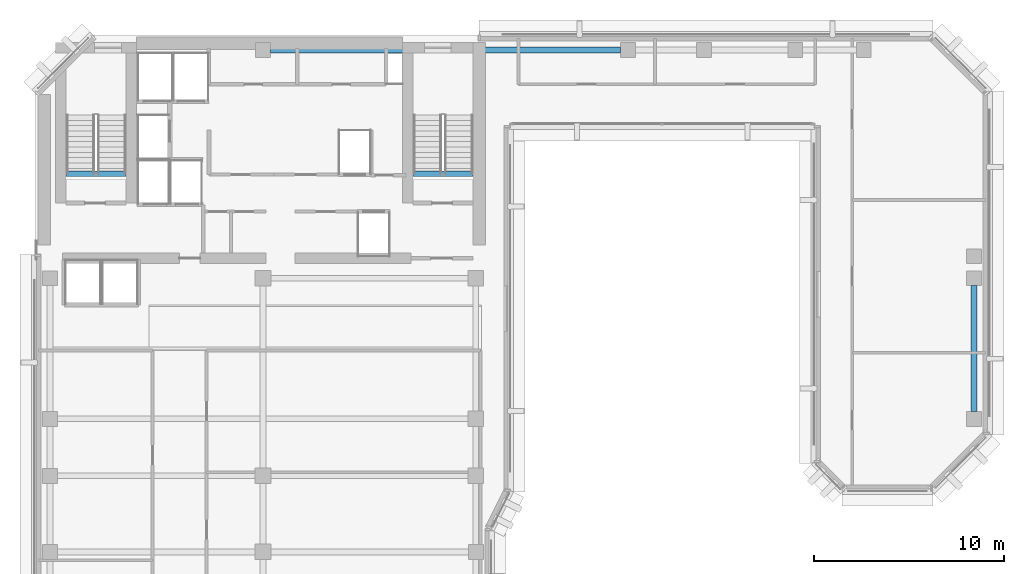
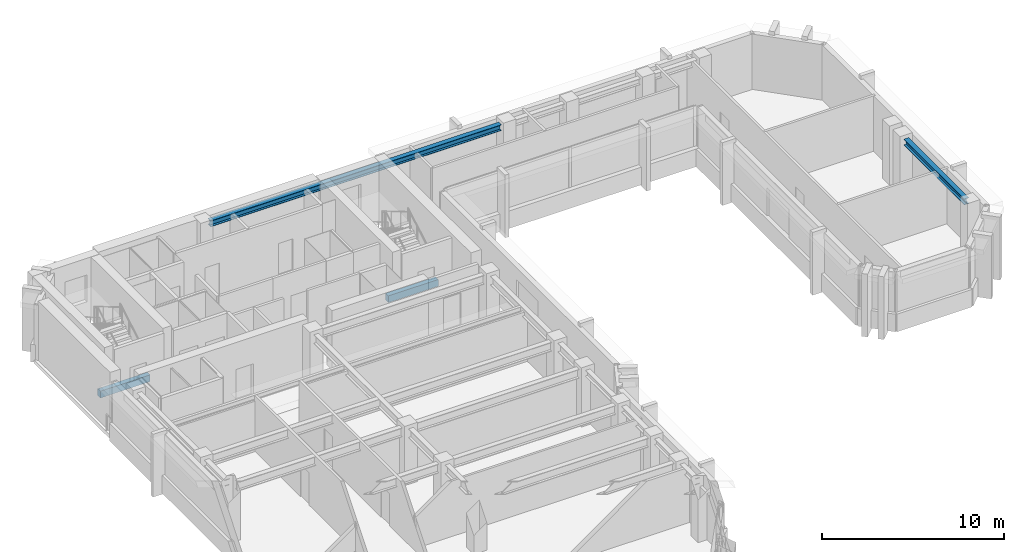
# One storey, part 3 of 11: 4 beams.
"""IFC4 building model written with IfcOpenShell, lengths in metres."""

from ifc_helpers import new_model, si_unit, direction, frame, origin, origin_2d, place, context, subcontext, project, spatial, rectangle, i_section, extrude, material, material_profile, profile_set, type_object, element, save


model = new_model("IFC4")

# Units and contexts
model_context = context("Model", 3, precision=1e-05, world=origin(), true_north=direction((0.0, 1.0)))
body_context = subcontext(model_context, "Body", "Model", "MODEL_VIEW")
ifc_project = project(units=[si_unit("LENGTHUNIT", "METRE"), si_unit("AREAUNIT", "SQUARE_METRE"), si_unit("VOLUMEUNIT", "CUBIC_METRE"), si_unit("PLANEANGLEUNIT", "RADIAN"), si_unit("MASSUNIT", "GRAM", prefix="KILO")], contexts=[model_context])

# Site, building, storey
site_placement = place(None, origin())
site = spatial("IfcSite", under=ifc_project, at=site_placement, CompositionType="ELEMENT")
building_placement = place(site_placement, origin())
building = spatial("IfcBuilding", under=site, at=building_placement, Name="Kefirva Bronze Tower", CompositionType="ELEMENT")
storey_placement = place(building_placement, frame((0.0, 0.0, 239.580078125)))
storey = spatial("IfcBuildingStorey", under=building, at=storey_placement, Name="L58", CompositionType="ELEMENT", Elevation=239.580078125)

# Beams
ifc_material_1 = material(Name="Concrete C50/60", Category="concrete")
ifc_material_profile_1 = material_profile(ifc_material_1, rectangle(XDim=0.300048828125, YDim=0.449951171875, at=origin_2d()), Name="RC 300x450")
ifc_profile_set_1 = profile_set([ifc_material_profile_1], Name="Concrete C50/60")
beam_type_1 = type_object("IfcBeamType", Name="RC Stair Trimmer Beam 300x450", PredefinedType="BEAM", material=ifc_profile_set_1)
beam_1_placement = place(storey_placement, frame((1.64501953125, 38.699951171875, -0.22509765625), z_axis=(1.0, 0.0, 0.0), x_axis=(0.0, 1.0, 0.0)))
element("IfcBeam", 1, at=beam_1_placement, inside=storey, type_object=beam_type_1, Name="L58 Stair 1 Landing Trimmer Beam", PredefinedType="BEAM", context=body_context, shape_type="SweptSolid", body=[
    extrude(rectangle(XDim=0.300048828125, YDim=0.449951171875, at=origin_2d()), origin(), (0.0, 0.0, 1.0), 3.14990234375),
])
beam_2_placement = place(storey_placement, frame((19.89501953125, 38.699951171875, -0.22509765625), z_axis=(1.0, 0.0, 0.0), x_axis=(0.0, 1.0, 0.0)))
element("IfcBeam", 2, at=beam_2_placement, inside=storey, type_object=beam_type_1, Name="L58 Stair 2 Landing Trimmer Beam", PredefinedType="BEAM", context=body_context, shape_type="SweptSolid", body=[
    extrude(rectangle(XDim=0.300048828125, YDim=0.449951171875, at=origin_2d()), origin(), (0.0, 0.0, 1.0), 3.159912109375),
])
ifc_material_2 = material(Name="Steel S355", Category="steel")
ifc_material_profile_2 = material_profile(ifc_material_2, i_section(OverallWidth=0.300048828125, OverallDepth=0.39990234375, WebThickness=0.013427734375, FlangeThickness=0.02392578125, at=origin_2d()), Name="HEB 400")
ifc_profile_set_2 = profile_set([ifc_material_profile_2], Name="Steel S355")
beam_type_2 = type_object("IfcBeamType", Name="Steel Spandrel HEB 400 Ext", PredefinedType="SPANDREL", material=ifc_profile_set_2)
beam_3_placement = place(storey_placement, frame((12.389892578125, 45.199951171875, 3.510009765625), z_axis=(1.0, 0.0, 0.0), x_axis=(0.0, 1.0, 0.0)))
element("IfcBeam", 3, at=beam_3_placement, inside=storey, type_object=beam_type_2, Name="L58 BM-L58-EW-12-452", PredefinedType="SPANDREL", context=body_context, shape_type="SweptSolid", body=[
    extrude(i_section(OverallWidth=0.300048828125, OverallDepth=0.39990234375, WebThickness=0.013427734375, FlangeThickness=0.02392578125, at=origin_2d()), origin(), (0.0, 0.0, 1.0), 18.420166015625),
])
beam_4_placement = place(storey_placement, frame((49.39990234375, 26.18994140625, 3.510009765625), z_axis=(0.0, 1.0, 0.0), x_axis=(-1.0, 0.0, 0.0)))
element("IfcBeam", 4, at=beam_4_placement, inside=storey, type_object=beam_type_2, Name="L58 BM-L58-NS-494-25", PredefinedType="SPANDREL", context=body_context, shape_type="SweptSolid", body=[
    extrude(i_section(OverallWidth=0.300048828125, OverallDepth=0.39990234375, WebThickness=0.013427734375, FlangeThickness=0.02392578125, at=origin_2d()), origin(), (0.0, 0.0, 1.0), 6.6201171875),
])

save(model, "model.ifc")
